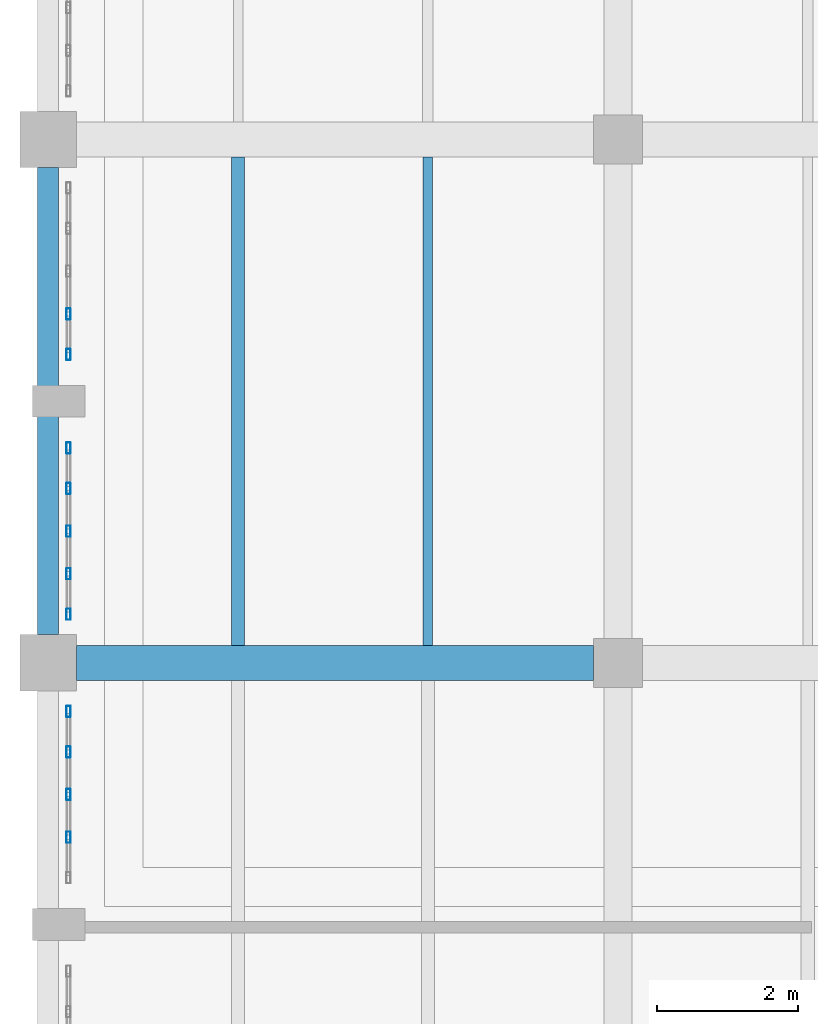
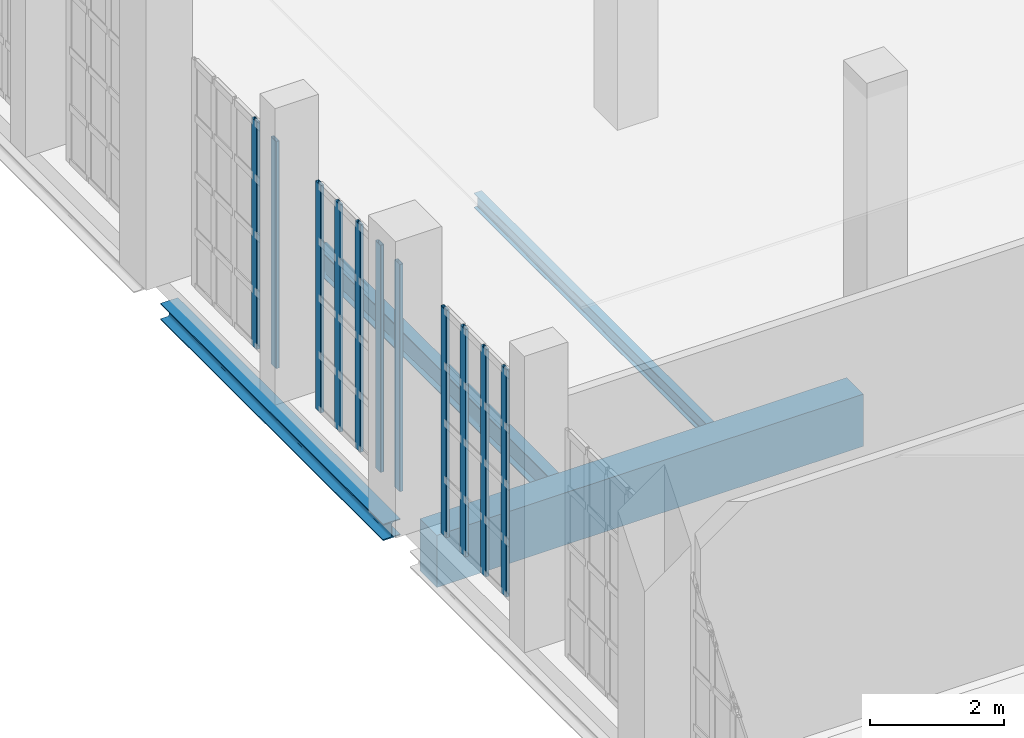
# One storey, part 242 of 372: 11 members, 4 beams, 3 elements without a shape of their own.
"""IFC4 building model written with IfcOpenShell, lengths in metres."""

from ifc_helpers import new_model, si_unit, direction, frame, origin, origin_2d, place, context, subcontext, project, spatial, rectangle, hollow_rectangle, i_section, extrude, material, material_profile, profile_set, type_object, element, aggregate, save


model = new_model("IFC4")

# Units and contexts
model_context = context("Model", 3, precision=1e-05, world=origin(), true_north=direction((0.0, 1.0)))
body_context = subcontext(model_context, "Body", "Model", "MODEL_VIEW")
ifc_project = project(units=[si_unit("LENGTHUNIT", "METRE"), si_unit("AREAUNIT", "SQUARE_METRE"), si_unit("VOLUMEUNIT", "CUBIC_METRE"), si_unit("PLANEANGLEUNIT", "RADIAN"), si_unit("MASSUNIT", "GRAM", prefix="KILO")], contexts=[model_context])

# Site, building, storey
site_placement = place(None, origin())
site = spatial("IfcSite", under=ifc_project, at=site_placement, CompositionType="ELEMENT")
building_placement = place(site_placement, origin())
building = spatial("IfcBuilding", under=site, at=building_placement, Name="Kaelora Sail Theatre", CompositionType="ELEMENT")
storey_placement = place(building_placement, origin())
storey = spatial("IfcBuildingStorey", under=building, at=storey_placement, Name="L00", CompositionType="ELEMENT", Elevation=0.0)

# Curtain wall, members
ifc_material_1 = material(Name="Anodised aluminium and solar-control low-E IGU", Category="aluminium")
curtain_wall_type = type_object("IfcCurtainWallType", Name="ARC-CW-CW-FOY1", PredefinedType="NOTDEFINED", material=ifc_material_1)
curtain_wall_1_placement = place(storey_placement, origin())
curtain_wall_1 = element("IfcCurtainWall", 1, at=curtain_wall_1_placement, inside=storey, type_object=curtain_wall_type, Name="Glazed Colonnade/Courtyard Curtain Wall FW1-W-L00-02", PredefinedType="NOTDEFINED")
ifc_material_2 = material(Name="Anodised aluminium 6063-T6", Category="aluminium")
ifc_material_profile_1 = material_profile(ifc_material_2, hollow_rectangle(XDim=0.06005859375, YDim=0.159912109375, WallThickness=0.00390625, InnerFilletRadius=0.00390625, OuterFilletRadius=0.008056640625, at=origin_2d()), Name="ALU-MULL 60x160x4")
ifc_profile_set_1 = profile_set([ifc_material_profile_1], Name="Anodised aluminium 6063-T6")
member_type = type_object("IfcMemberType", Name="ARC-MEM-ML-160", PredefinedType="MULLION", material=ifc_profile_set_1)
member_1_placement = place(storey_placement, frame((1.7900390625, 65.981201171875, 0.0), z_axis=(0.0, 0.0, 1.0), x_axis=(-1.0, 0.0, 0.0)))
member_1 = element("IfcMember", 2, at=member_1_placement, type_object=member_type, Name="CW-FOY1 mullion 2", PredefinedType="MULLION", context=body_context, shape_type="SweptSolid", body=[
    extrude(hollow_rectangle(XDim=0.06005859375, YDim=0.159912109375, WallThickness=0.00390625, InnerFilletRadius=0.00390625, OuterFilletRadius=0.008056640625, at=origin_2d()), origin(), (0.0, 0.0, 1.0), 4.136962890625),
])
member_2_placement = place(storey_placement, frame((1.7900390625, 66.58740234375, 0.0), z_axis=(0.0, 0.0, 1.0), x_axis=(-1.0, 0.0, 0.0)))
member_2 = element("IfcMember", 3, at=member_2_placement, type_object=member_type, Name="CW-FOY1 mullion 3", PredefinedType="MULLION", context=body_context, shape_type="SweptSolid", body=[
    extrude(hollow_rectangle(XDim=0.06005859375, YDim=0.159912109375, WallThickness=0.00390625, InnerFilletRadius=0.00390625, OuterFilletRadius=0.008056640625, at=origin_2d()), origin(), (0.0, 0.0, 1.0), 4.136962890625),
])
member_3_placement = place(storey_placement, frame((1.7900390625, 67.19384765625, 0.0), z_axis=(0.0, 0.0, 1.0), x_axis=(-1.0, 0.0, 0.0)))
member_3 = element("IfcMember", 4, at=member_3_placement, type_object=member_type, Name="CW-FOY1 mullion 4", PredefinedType="MULLION", context=body_context, shape_type="SweptSolid", body=[
    extrude(hollow_rectangle(XDim=0.06005859375, YDim=0.159912109375, WallThickness=0.00390625, InnerFilletRadius=0.00390625, OuterFilletRadius=0.008056640625, at=origin_2d()), origin(), (0.0, 0.0, 1.0), 4.136962890625),
])
member_4_placement = place(storey_placement, frame((1.7900390625, 67.77001953125, 0.0), z_axis=(0.0, 0.0, 1.0), x_axis=(-1.0, 0.0, 0.0)))
member_4 = element("IfcMember", 5, at=member_4_placement, type_object=member_type, Name="CW-FOY1 mullion 5", PredefinedType="MULLION", context=body_context, shape_type="SweptSolid", body=[
    extrude(hollow_rectangle(XDim=0.06005859375, YDim=0.159912109375, WallThickness=0.00390625, InnerFilletRadius=0.00390625, OuterFilletRadius=0.008056640625, at=origin_2d()), origin(), (0.0, 0.0, 1.0), 4.136962890625),
])
aggregate(curtain_wall_1, [member_1, member_2, member_3, member_4])

curtain_wall_2_placement = place(storey_placement, origin())
curtain_wall_2 = element("IfcCurtainWall", 6, at=curtain_wall_2_placement, inside=storey, type_object=curtain_wall_type, Name="Glazed Colonnade/Courtyard Curtain Wall FW1-W-L00-03", PredefinedType="NOTDEFINED")
member_5_placement = place(storey_placement, frame((1.7900390625, 69.14990234375, 0.0), z_axis=(0.0, 0.0, 1.0), x_axis=(-1.0, 0.0, 0.0)))
member_5 = element("IfcMember", 7, at=member_5_placement, type_object=member_type, Name="CW-FOY1 mullion 1", PredefinedType="MULLION", context=body_context, shape_type="SweptSolid", body=[
    extrude(hollow_rectangle(XDim=0.06005859375, YDim=0.159912109375, WallThickness=0.00390625, InnerFilletRadius=0.00390625, OuterFilletRadius=0.008056640625, at=origin_2d()), origin(), (0.0, 0.0, 1.0), 4.136962890625),
])
member_6_placement = place(storey_placement, frame((1.7900390625, 69.726318359375, 0.0), z_axis=(0.0, 0.0, 1.0), x_axis=(-1.0, 0.0, 0.0)))
member_6 = element("IfcMember", 8, at=member_6_placement, type_object=member_type, Name="CW-FOY1 mullion 2", PredefinedType="MULLION", context=body_context, shape_type="SweptSolid", body=[
    extrude(hollow_rectangle(XDim=0.06005859375, YDim=0.159912109375, WallThickness=0.00390625, InnerFilletRadius=0.00390625, OuterFilletRadius=0.008056640625, at=origin_2d()), origin(), (0.0, 0.0, 1.0), 4.136962890625),
])
member_7_placement = place(storey_placement, frame((1.7900390625, 70.33251953125, 0.0), z_axis=(0.0, 0.0, 1.0), x_axis=(-1.0, 0.0, 0.0)))
member_7 = element("IfcMember", 9, at=member_7_placement, type_object=member_type, Name="CW-FOY1 mullion 3", PredefinedType="MULLION", context=body_context, shape_type="SweptSolid", body=[
    extrude(hollow_rectangle(XDim=0.06005859375, YDim=0.159912109375, WallThickness=0.00390625, InnerFilletRadius=0.00390625, OuterFilletRadius=0.008056640625, at=origin_2d()), origin(), (0.0, 0.0, 1.0), 4.136962890625),
])
member_8_placement = place(storey_placement, frame((1.7900390625, 70.938720703125, 0.0), z_axis=(0.0, 0.0, 1.0), x_axis=(-1.0, 0.0, 0.0)))
member_8 = element("IfcMember", 10, at=member_8_placement, type_object=member_type, Name="CW-FOY1 mullion 4", PredefinedType="MULLION", context=body_context, shape_type="SweptSolid", body=[
    extrude(hollow_rectangle(XDim=0.06005859375, YDim=0.159912109375, WallThickness=0.00390625, InnerFilletRadius=0.00390625, OuterFilletRadius=0.008056640625, at=origin_2d()), origin(), (0.0, 0.0, 1.0), 4.136962890625),
])
member_9_placement = place(storey_placement, frame((1.7900390625, 71.514892578125, 0.0), z_axis=(0.0, 0.0, 1.0), x_axis=(-1.0, 0.0, 0.0)))
member_9 = element("IfcMember", 11, at=member_9_placement, type_object=member_type, Name="CW-FOY1 mullion 5", PredefinedType="MULLION", context=body_context, shape_type="SweptSolid", body=[
    extrude(hollow_rectangle(XDim=0.06005859375, YDim=0.159912109375, WallThickness=0.00390625, InnerFilletRadius=0.00390625, OuterFilletRadius=0.008056640625, at=origin_2d()), origin(), (0.0, 0.0, 1.0), 4.136962890625),
])
aggregate(curtain_wall_2, [member_5, member_6, member_7, member_8, member_9])

curtain_wall_3_placement = place(storey_placement, origin())
curtain_wall_3 = element("IfcCurtainWall", 12, at=curtain_wall_3_placement, inside=storey, type_object=curtain_wall_type, Name="Glazed Colonnade/Courtyard Curtain Wall FW1-W-L00-04", PredefinedType="NOTDEFINED")
member_10_placement = place(storey_placement, frame((1.7900390625, 72.844970703125, 0.0), z_axis=(0.0, 0.0, 1.0), x_axis=(-1.0, 0.0, 0.0)))
member_10 = element("IfcMember", 13, at=member_10_placement, type_object=member_type, Name="CW-FOY1 mullion 1", PredefinedType="MULLION", context=body_context, shape_type="SweptSolid", body=[
    extrude(hollow_rectangle(XDim=0.06005859375, YDim=0.159912109375, WallThickness=0.00390625, InnerFilletRadius=0.00390625, OuterFilletRadius=0.008056640625, at=origin_2d()), origin(), (0.0, 0.0, 1.0), 4.136962890625),
])
member_11_placement = place(storey_placement, frame((1.7900390625, 73.421142578125, 0.0), z_axis=(0.0, 0.0, 1.0), x_axis=(-1.0, 0.0, 0.0)))
member_11 = element("IfcMember", 14, at=member_11_placement, type_object=member_type, Name="CW-FOY1 mullion 2", PredefinedType="MULLION", context=body_context, shape_type="SweptSolid", body=[
    extrude(hollow_rectangle(XDim=0.06005859375, YDim=0.159912109375, WallThickness=0.00390625, InnerFilletRadius=0.00390625, OuterFilletRadius=0.008056640625, at=origin_2d()), origin(), (0.0, 0.0, 1.0), 4.136962890625),
])
aggregate(curtain_wall_3, [member_10, member_11])

# Beams
ifc_material_3 = material(Name="Steel S355", Category="steel")
ifc_material_profile_2 = material_profile(ifc_material_3, i_section(OverallWidth=0.18994140625, OverallDepth=0.449951171875, WebThickness=0.009521484375, FlangeThickness=0.0146484375, FilletRadius=0.02099609375, at=origin_2d()), Name="IPE 450")
ifc_profile_set_2 = profile_set([ifc_material_profile_2], Name="Steel S355")
beam_type_1 = type_object("IfcBeamType", Name="STR-BM-BM-IPE450", PredefinedType="BEAM", material=ifc_profile_set_2)
beam_1_placement = place(storey_placement, frame((4.199951171875, 68.7099609375, -0.544921875), z_axis=(0.0, 1.0, 0.0), x_axis=(-1.0, 0.0, 0.0)))
element("IfcBeam", 15, at=beam_1_placement, inside=storey, type_object=beam_type_1, Name="Secondary floor joist 1/J-1 (L00)", PredefinedType="BEAM", context=body_context, shape_type="SweptSolid", body=[
    extrude(i_section(OverallWidth=0.18994140625, OverallDepth=0.449951171875, WebThickness=0.009521484375, FlangeThickness=0.0146484375, FilletRadius=0.02099609375, at=origin_2d()), origin(), (0.0, 0.0, 1.0), 6.93994140625),
])
ifc_material_4 = material(Name="Concrete C45/55", Category="concrete")
ifc_material_profile_3 = material_profile(ifc_material_4, rectangle(XDim=0.5, YDim=0.949951171875, at=origin_2d()), Name="RC-GRD 500x950")
ifc_profile_set_3 = profile_set([ifc_material_profile_3], Name="Concrete C45/55")
beam_type_2 = type_object("IfcBeamType", Name="STR-BM-GR-RC5095", PredefinedType="T_BEAM", material=ifc_profile_set_3)
beam_2_placement = place(storey_placement, frame((1.89990234375, 68.4599609375, -0.794921875), z_axis=(1.0, 0.0, 0.0), x_axis=(0.0, 1.0, 0.0)))
element("IfcBeam", 16, at=beam_2_placement, inside=storey, type_object=beam_type_2, Name="Primary beam J 1-2 (L00)", PredefinedType="T_BEAM", context=body_context, shape_type="SweptSolid", body=[
    extrude(rectangle(XDim=0.5, YDim=0.949951171875, at=origin_2d()), origin(), (0.0, 0.0, 1.0), 7.35009765625),
])
ifc_material_5 = material(Name="Steel S355", Category="steel")
ifc_material_profile_4 = material_profile(ifc_material_5, i_section(OverallWidth=0.135009765625, OverallDepth=0.27001953125, WebThickness=0.006591796875, FlangeThickness=0.01025390625, FilletRadius=0.014892578125, at=origin_2d()), Name="IPE 270")
ifc_profile_set_4 = profile_set([ifc_material_profile_4], Name="Steel S355")
beam_type_3 = type_object("IfcBeamType", Name="STR-BM-JS-IPE270", PredefinedType="JOIST", material=ifc_profile_set_4)
beam_3_placement = place(storey_placement, frame((6.89990234375, 68.7099609375, -0.455078125), z_axis=(0.0, 1.0, 0.0), x_axis=(-1.0, 0.0, 0.0)))
element("IfcBeam", 17, at=beam_3_placement, inside=storey, type_object=beam_type_3, Name="Secondary floor joist 1/J-2 (L00)", PredefinedType="JOIST", context=body_context, shape_type="SweptSolid", body=[
    extrude(i_section(OverallWidth=0.135009765625, OverallDepth=0.27001953125, WebThickness=0.006591796875, FlangeThickness=0.01025390625, FilletRadius=0.014892578125, at=origin_2d()), origin(), (0.0, 0.0, 1.0), 6.93994140625),
])
ifc_material_6 = material(Name="Steel S355", Category="steel")
ifc_material_profile_5 = material_profile(ifc_material_6, i_section(OverallWidth=0.300048828125, OverallDepth=0.300048828125, WebThickness=0.010986328125, FlangeThickness=0.01904296875, FilletRadius=0.027099609375, at=origin_2d()), Name="HEB 300")
ifc_profile_set_5 = profile_set([ifc_material_profile_5], Name="Steel S355")
beam_type_4 = type_object("IfcBeamType", Name="STR-BM-SP-HEB300", PredefinedType="SPANDREL", material=ifc_profile_set_5)
beam_4_placement = place(storey_placement, frame((1.5, 68.860107421875, -0.469970703125), z_axis=(0.0, 1.0, 0.0), x_axis=(-1.0, 0.0, 0.0)))
element("IfcBeam", 18, at=beam_4_placement, inside=storey, type_object=beam_type_4, Name="Primary beam 1 J-K (L00)", PredefinedType="SPANDREL", context=body_context, shape_type="SweptSolid", body=[
    extrude(i_section(OverallWidth=0.300048828125, OverallDepth=0.300048828125, WebThickness=0.010986328125, FlangeThickness=0.01904296875, FilletRadius=0.027099609375, at=origin_2d()), origin(), (0.0, 0.0, 1.0), 6.639892578125),
])

save(model, "model.ifc")
